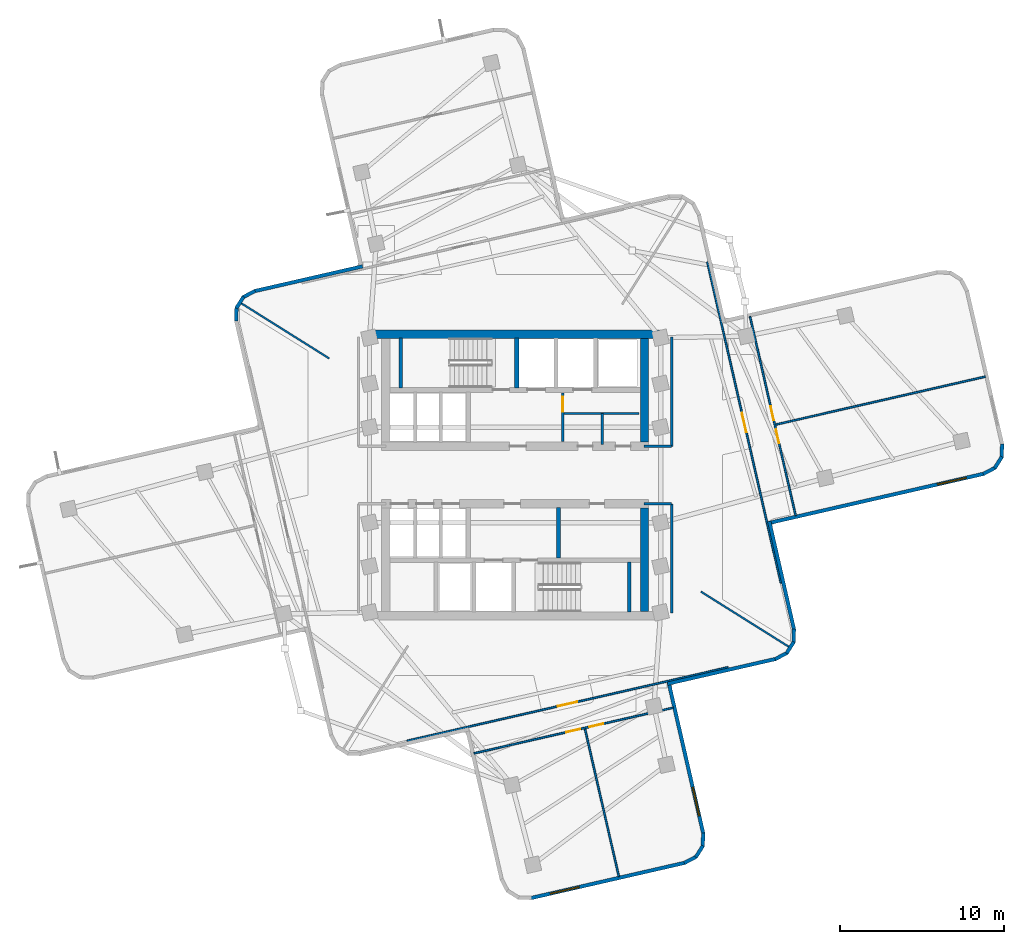
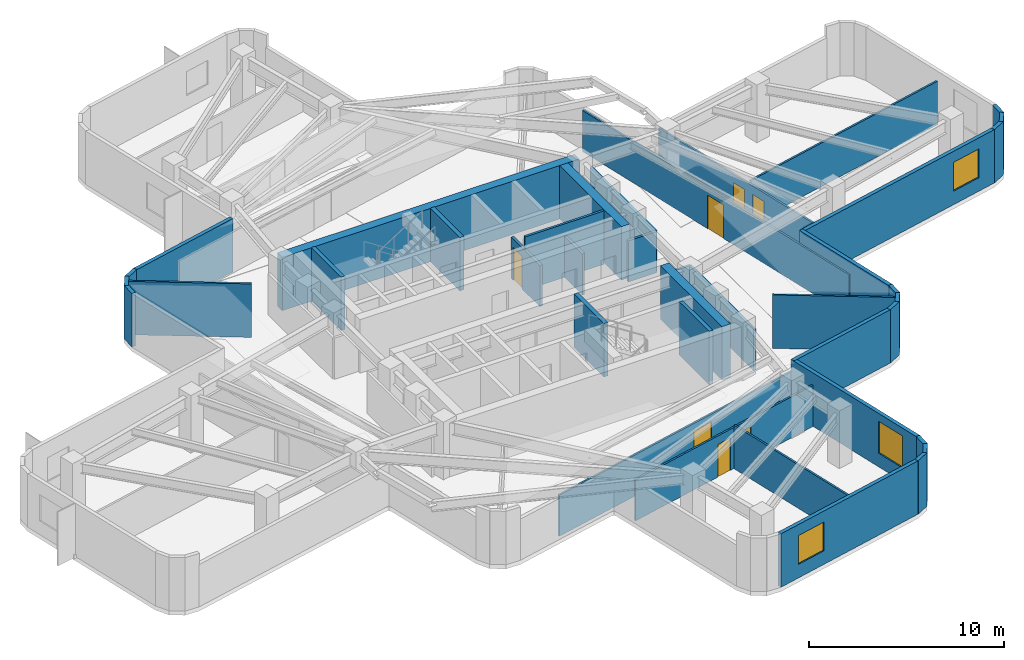
# One storey, part 4 of 8: 40 walls, 7 doors, 3 windows, 10 openings.
"""IFC4 building model written with IfcOpenShell, lengths in metres."""

from ifc_helpers import new_model, si_unit, direction, frame, frame_2d, origin, place, context, subcontext, project, spatial, rectangle, extrude, material, layer, layer_set, type_object, element, fill, save


model = new_model("IFC4")

# Units and contexts
model_context = context("Model", 3, precision=1e-05, world=origin(), true_north=direction((0.0, 1.0)))
body_context = subcontext(model_context, "Body", "Model", "MODEL_VIEW")
ifc_project = project(units=[si_unit("LENGTHUNIT", "METRE"), si_unit("AREAUNIT", "SQUARE_METRE"), si_unit("VOLUMEUNIT", "CUBIC_METRE"), si_unit("PLANEANGLEUNIT", "RADIAN"), si_unit("MASSUNIT", "GRAM", prefix="KILO")], contexts=[model_context])

# Site, building, storey
site_placement = place(None, origin())
site = spatial("IfcSite", under=ifc_project, at=site_placement, CompositionType="ELEMENT")
building_placement = place(site_placement, origin())
building = spatial("IfcBuilding", under=site, at=building_placement, Name="Solmarez Civic Tower", CompositionType="ELEMENT")
storey_placement = place(building_placement, frame((0.0, 0.0, 123.47998046875)))
storey = spatial("IfcBuildingStorey", under=building, at=storey_placement, Name="L32", CompositionType="ELEMENT", Elevation=123.47998046875)

# Walls
ifc_material_1 = material(Name="Concrete C60/75", Category="concrete")
ifc_layer_1 = layer(ifc_material_1, 0.5)
ifc_layer_set_1 = layer_set([ifc_layer_1], Name="Concrete C60/75")
wall_type_1 = type_object("IfcWallType", Name="WALL-CORE-500", PredefinedType="SHEAR", material=ifc_layer_set_1)
wall_1_placement = place(storey_placement, frame((-8.780029296875, 8.56005859375, 0.0), z_axis=(0.0, 0.0, 1.0), x_axis=(1.0, 0.0, 0.0)))
element("IfcWall", 1, at=wall_1_placement, inside=storey, type_object=wall_type_1, Name="L32 Split-Core Structural Wall NCW-N-L32", PredefinedType="SHEAR", context=body_context, shape_type="SweptSolid", body=[
    extrude(rectangle(XDim=17.56005859375, YDim=0.5, at=frame_2d((8.780029296875, 0.0))), origin(), (0.0, 0.0, 1.0), 3.340087890625),
])
for number, where, z_axis, x_axis, name in (
    (2, (7.8701171875, 8.31005859375, 0.0), (0.0, 0.0, 1.0), (0.0, -1.0, 0.0), "L32 Split-Core Structural Wall NCW-E-L32"),
    (3, (7.8701171875, -2.0, 0.0), (0.0, 0.0, 1.0), (0.0, -1.0, 0.0), "L32 Split-Core Structural Wall SCW-E-L32"),
):
    element("IfcWall", number, at=place(storey_placement, frame(where, z_axis=z_axis, x_axis=x_axis)), inside=storey, type_object=wall_type_1, Name=name, PredefinedType="SHEAR", context=body_context, shape_type="SweptSolid", body=[
        extrude(rectangle(XDim=6.31005859375, YDim=0.5, at=frame_2d((3.155029296875, 0.0))), origin(), (0.0, 0.0, 1.0), 3.340087890625),
    ])
ifc_material_2 = material(Name="Precast concrete C40/50", Category="concrete")
ifc_layer_2 = layer(ifc_material_2, 0.219970703125)
ifc_layer_set_2 = layer_set([ifc_layer_2], Name="Precast concrete C40/50")
wall_type_2 = type_object("IfcWallType", Name="WALL-EXT-220", PredefinedType="SOLIDWALL", material=ifc_layer_set_2)
wall_2_placement = place(storey_placement, frame((-16.964111328125, 9.360107421875, 0.0), z_axis=(0.0, 0.0, 1.0), x_axis=(0.035983706773, 0.999352376715, 0.0)))
element("IfcWall", 4, at=wall_2_placement, inside=storey, type_object=wall_type_2, Name="L32 Exterior Precast Wall 14", PredefinedType="SOLIDWALL", context=body_context, shape_type="SweptSolid", body=[
    extrude(rectangle(XDim=0.83447265625, YDim=0.219970703125, at=frame_2d((0.417236328125, 0.0))), origin(), (0.0, 0.0, 1.0), 3.340087890625),
])
wall_3_placement = place(storey_placement, frame((-16.947998046875, 10.14794921875, 0.0), z_axis=(0.0, 0.0, 1.0), x_axis=(0.531096868492, 0.847311109497, 0.0)))
element("IfcWall", 5, at=wall_3_placement, inside=storey, type_object=wall_type_2, Name="L32 Exterior Precast Wall 15", PredefinedType="SOLIDWALL", context=body_context, shape_type="SweptSolid", body=[
    extrude(rectangle(XDim=0.819091796875, YDim=0.219970703125, at=frame_2d((0.40966796875, 0.0))), origin(), (0.0, 0.0, 1.0), 3.340087890625),
])
wall_4_placement = place(storey_placement, frame((-16.548095703125, 10.80908203125, 0.0), z_axis=(0.0, 0.0, 1.0), x_axis=(0.883460266876, 0.468506090516, 0.0)))
element("IfcWall", 6, at=wall_4_placement, inside=storey, type_object=wall_type_2, Name="L32 Exterior Precast Wall 16", PredefinedType="SOLIDWALL", context=body_context, shape_type="SweptSolid", body=[
    extrude(rectangle(XDim=0.834228515625, YDim=0.219970703125, at=frame_2d((0.4169921875, 0.0))), origin(), (0.0, 0.0, 1.0), 3.340087890625),
])
wall_5_placement = place(storey_placement, frame((-15.85693359375, 11.181884765625, 0.0), z_axis=(0.0, 0.0, 1.0), x_axis=(0.974754598481, 0.223278912438, 0.0)))
element("IfcWall", 7, at=wall_5_placement, inside=storey, type_object=wall_type_2, Name="L32 Exterior Precast Wall 17", PredefinedType="SOLIDWALL", context=body_context, shape_type="SweptSolid", body=[
    extrude(rectangle(XDim=6.758544921875, YDim=0.219970703125, at=frame_2d((3.37939453125, 0.0))), origin(), (0.0, 0.0, 1.0), 3.340087890625),
])
wall_6_placement = place(storey_placement, frame((29.6201171875, 1.89892578125, 0.0), z_axis=(0.0, 0.0, 1.0), x_axis=(-0.037195813461, -0.999307996296, 0.0)))
element("IfcWall", 8, at=wall_6_placement, inside=storey, type_object=wall_type_2, Name="L32 Exterior Precast Wall 43", PredefinedType="SOLIDWALL", context=body_context, shape_type="SweptSolid", body=[
    extrude(rectangle(XDim=0.83349609375, YDim=0.219970703125, at=frame_2d((0.416748046875, 0.0))), origin(), (0.0, 0.0, 1.0), 3.340087890625),
])
wall_7_placement = place(storey_placement, frame((29.60302734375, 1.112060546875, 0.0), z_axis=(0.0, 0.0, 1.0), x_axis=(-0.530240177466, -0.847847482865, 0.0)))
element("IfcWall", 9, at=wall_7_placement, inside=storey, type_object=wall_type_2, Name="L32 Exterior Precast Wall 44", PredefinedType="SOLIDWALL", context=body_context, shape_type="SweptSolid", body=[
    extrude(rectangle(XDim=0.818603515625, YDim=0.219970703125, at=frame_2d((0.4091796875, 0.0))), origin(), (0.0, 0.0, 1.0), 3.340087890625),
])
wall_8_placement = place(storey_placement, frame((29.2041015625, 0.450927734375, 0.0), z_axis=(0.0, 0.0, 1.0), x_axis=(-0.883716798585, -0.468022029287, 0.0)))
element("IfcWall", 10, at=wall_8_placement, inside=storey, type_object=wall_type_2, Name="L32 Exterior Precast Wall 45", PredefinedType="SOLIDWALL", context=body_context, shape_type="SweptSolid", body=[
    extrude(rectangle(XDim=0.835205078125, YDim=0.219970703125, at=frame_2d((0.41748046875, 0.0))), origin(), (0.0, 0.0, 1.0), 3.340087890625),
])

# Wall, opening, window
wall_9_placement = place(storey_placement, frame((28.511962890625, 0.077880859375, 0.0), z_axis=(0.0, 0.0, 1.0), x_axis=(-0.974753462872, -0.223283870038, 0.0)))
wall_9 = element("IfcWall", 11, at=wall_9_placement, inside=storey, type_object=wall_type_2, Name="L32 Exterior Precast Wall 46", PredefinedType="SOLIDWALL", context=body_context, shape_type="SweptSolid", body=[
    extrude(rectangle(XDim=13.457763671875, YDim=0.219970703125, at=frame_2d((6.72900390625, 0.0))), origin(), (0.0, 0.0, 1.0), 3.340087890625),
])
opening_1_placement = place(wall_9_placement, frame((1.10009765625, 0.0, 0.85009765625)))
opening_1 = element("IfcOpeningElement", 12, at=opening_1_placement, cuts=wall_9, Name="Opening W-08", PredefinedType="OPENING", context=body_context, shape_type="SweptSolid", body=[
    extrude(rectangle(XDim=1.800048828125, YDim=1.800048828125, at=frame_2d((0.89990234375, 0.89990234375))), frame((0.0, 0.119873046875, 0.0), z_axis=(0.0, -1.0, 0.0), x_axis=(1.0, 0.0, 0.0)), (0.0, 0.0, 1.0), 0.239990234375),
])
ifc_material_3 = material(Name="Solar Control Bronze-Tinted Insulating Glass", Category="glass")
window_type_1 = type_object("IfcWindowType", Name="WIN-1800X1800", PartitioningType="SINGLE_PANEL", PredefinedType="WINDOW", material=ifc_material_3)
window_1_placement = place(opening_1_placement, origin())
window_1 = element("IfcWindow", 13, at=window_1_placement, inside=storey, type_object=window_type_1, Name="L32 Exterior Facade Window 46", OverallHeight=1.800048828125, OverallWidth=1.800048828125, PartitioningType="SINGLE_PANEL", PredefinedType="WINDOW", context=body_context, shape_type="SweptSolid", body=[
    extrude(rectangle(XDim=1.800048828125, YDim=1.800048828125, at=frame_2d((0.89990234375, 0.89990234375))), frame((0.0, 0.030029296875, 0.0), z_axis=(0.0, -1.0, 0.0), x_axis=(1.0, 0.0, 0.0)), (0.0, 0.0, 1.0), 0.06005859375),
])
fill(opening_1, window_1)

# Walls
wall_10_placement = place(storey_placement, frame((15.4599609375, -2.821044921875, 0.0), z_axis=(0.0, 0.0, 1.0), x_axis=(0.223278912438, -0.974754598481, 0.0)))
element("IfcWall", 14, at=wall_10_placement, inside=storey, type_object=wall_type_2, Name="L32 Exterior Precast Wall 49", PredefinedType="SOLIDWALL", context=body_context, shape_type="SweptSolid", body=[
    extrude(rectangle(XDim=6.758544921875, YDim=0.219970703125, at=frame_2d((3.37939453125, 0.0))), origin(), (0.0, 0.0, 1.0), 3.340087890625),
])
wall_11_placement = place(storey_placement, frame((16.964111328125, -9.360107421875, 0.0), z_axis=(0.0, 0.0, 1.0), x_axis=(-0.035983706773, -0.999352376715, 0.0)))
element("IfcWall", 15, at=wall_11_placement, inside=storey, type_object=wall_type_2, Name="L32 Exterior Precast Wall 50", PredefinedType="SOLIDWALL", context=body_context, shape_type="SweptSolid", body=[
    extrude(rectangle(XDim=0.83447265625, YDim=0.219970703125, at=frame_2d((0.417236328125, 0.0))), origin(), (0.0, 0.0, 1.0), 3.340087890625),
])
wall_12_placement = place(storey_placement, frame((16.947998046875, -10.14794921875, 0.0), z_axis=(0.0, 0.0, 1.0), x_axis=(-0.531096868492, -0.847311109497, 0.0)))
element("IfcWall", 16, at=wall_12_placement, inside=storey, type_object=wall_type_2, Name="L32 Exterior Precast Wall 51", PredefinedType="SOLIDWALL", context=body_context, shape_type="SweptSolid", body=[
    extrude(rectangle(XDim=0.819091796875, YDim=0.219970703125, at=frame_2d((0.40966796875, 0.0))), origin(), (0.0, 0.0, 1.0), 3.340087890625),
])
wall_13_placement = place(storey_placement, frame((16.548095703125, -10.80908203125, 0.0), z_axis=(0.0, 0.0, 1.0), x_axis=(-0.883460266876, -0.468506090516, 0.0)))
element("IfcWall", 17, at=wall_13_placement, inside=storey, type_object=wall_type_2, Name="L32 Exterior Precast Wall 52", PredefinedType="SOLIDWALL", context=body_context, shape_type="SweptSolid", body=[
    extrude(rectangle(XDim=0.834228515625, YDim=0.219970703125, at=frame_2d((0.4169921875, 0.0))), origin(), (0.0, 0.0, 1.0), 3.340087890625),
])
wall_14_placement = place(storey_placement, frame((15.85693359375, -11.181884765625, 0.0), z_axis=(0.0, 0.0, 1.0), x_axis=(-0.974754598481, -0.223278912438, 0.0)))
element("IfcWall", 18, at=wall_14_placement, inside=storey, type_object=wall_type_2, Name="L32 Exterior Precast Wall 53", PredefinedType="SOLIDWALL", context=body_context, shape_type="SweptSolid", body=[
    extrude(rectangle(XDim=6.758544921875, YDim=0.219970703125, at=frame_2d((3.37939453125, 0.0))), origin(), (0.0, 0.0, 1.0), 3.340087890625),
])

# Wall, opening, window
wall_15_placement = place(storey_placement, frame((9.3349609375, -12.5849609375, 0.0), z_axis=(0.0, 0.0, 1.0), x_axis=(0.223290835532, -0.974751867281, 0.0)))
wall_15 = element("IfcWall", 19, at=wall_15_placement, inside=storey, type_object=wall_type_2, Name="L32 Exterior Precast Wall 56", PredefinedType="SOLIDWALL", context=body_context, shape_type="SweptSolid", body=[
    extrude(rectangle(XDim=9.458740234375, YDim=0.219970703125, at=frame_2d((4.7294921875, 0.0))), origin(), (0.0, 0.0, 1.0), 3.340087890625),
])
opening_2_placement = place(wall_15_placement, frame((6.55908203125, 0.0, 0.85009765625)))
opening_2 = element("IfcOpeningElement", 20, at=opening_2_placement, cuts=wall_15, Name="Opening W-04", PredefinedType="OPENING", context=body_context, shape_type="SweptSolid", body=[
    extrude(rectangle(XDim=1.800048828125, YDim=2.0, at=frame_2d((0.89990234375, 1.0))), frame((0.0, 0.119873046875, 0.0), z_axis=(0.0, -1.0, 0.0), x_axis=(1.0, 0.0, 0.0)), (0.0, 0.0, 1.0), 0.239990234375),
])
window_type_2 = type_object("IfcWindowType", Name="WIN-1800X2000", PartitioningType="SINGLE_PANEL", PredefinedType="WINDOW", material=ifc_material_3)
window_2_placement = place(opening_2_placement, origin())
window_2 = element("IfcWindow", 21, at=window_2_placement, inside=storey, type_object=window_type_2, Name="L32 Exterior Facade Window 56", OverallHeight=2.0, OverallWidth=1.800048828125, PartitioningType="SINGLE_PANEL", PredefinedType="WINDOW", context=body_context, shape_type="SweptSolid", body=[
    extrude(rectangle(XDim=1.800048828125, YDim=2.0, at=frame_2d((0.89990234375, 1.0))), frame((0.0, 0.030029296875, 0.0), z_axis=(0.0, -1.0, 0.0), x_axis=(1.0, 0.0, 0.0)), (0.0, 0.0, 1.0), 0.06005859375),
])
fill(opening_2, window_2)

# Walls
wall_16_placement = place(storey_placement, frame((11.44189453125, -21.756103515625, 0.0), z_axis=(0.0, 0.0, 1.0), x_axis=(-0.035691530512, -0.999362854348, 0.0)))
element("IfcWall", 22, at=wall_16_placement, inside=storey, type_object=wall_type_2, Name="L32 Exterior Precast Wall 57", PredefinedType="SOLIDWALL", context=body_context, shape_type="SweptSolid", body=[
    extrude(rectangle(XDim=0.83447265625, YDim=0.219970703125, at=frame_2d((0.417236328125, 0.0))), origin(), (0.0, 0.0, 1.0), 3.340087890625),
])
wall_17_placement = place(storey_placement, frame((11.426025390625, -22.5439453125, 0.0), z_axis=(0.0, 0.0, 1.0), x_axis=(-0.53163377074, -0.846974340702, 0.0)))
element("IfcWall", 23, at=wall_17_placement, inside=storey, type_object=wall_type_2, Name="L32 Exterior Precast Wall 58", PredefinedType="SOLIDWALL", context=body_context, shape_type="SweptSolid", body=[
    extrude(rectangle(XDim=0.818359375, YDim=0.219970703125, at=frame_2d((0.4091796875, 0.0))), origin(), (0.0, 0.0, 1.0), 3.340087890625),
])
wall_18_placement = place(storey_placement, frame((11.02587890625, -23.2041015625, 0.0), z_axis=(0.0, 0.0, 1.0), x_axis=(-0.883396009524, -0.468627240307, 0.0)))
element("IfcWall", 24, at=wall_18_placement, inside=storey, type_object=wall_type_2, Name="L32 Exterior Precast Wall 59", PredefinedType="SOLIDWALL", context=body_context, shape_type="SweptSolid", body=[
    extrude(rectangle(XDim=0.833984375, YDim=0.219970703125, at=frame_2d((0.4169921875, 0.0))), origin(), (0.0, 0.0, 1.0), 3.340087890625),
])

# Wall, opening, window
wall_19_placement = place(storey_placement, frame((10.3349609375, -23.576904296875, 0.0), z_axis=(0.0, 0.0, 1.0), x_axis=(-0.974730937235, -0.223382183705, 0.0)))
wall_19 = element("IfcWall", 25, at=wall_19_placement, inside=storey, type_object=wall_type_2, Name="L32 Exterior Precast Wall 60", PredefinedType="SOLIDWALL", context=body_context, shape_type="SweptSolid", body=[
    extrude(rectangle(XDim=9.62109375, YDim=0.219970703125, at=frame_2d((4.810546875, 0.0))), origin(), (0.0, 0.0, 1.0), 3.340087890625),
])
opening_3_placement = place(wall_19_placement, frame((6.60400390625, 0.0, 0.85009765625)))
opening_3 = element("IfcOpeningElement", 26, at=opening_3_placement, cuts=wall_19, Name="Opening W-08", PredefinedType="OPENING", context=body_context, shape_type="SweptSolid", body=[
    extrude(rectangle(XDim=1.800048828125, YDim=1.800048828125, at=frame_2d((0.89990234375, 0.89990234375))), frame((0.0, 0.119873046875, 0.0), z_axis=(0.0, -1.0, 0.0), x_axis=(1.0, 0.0, 0.0)), (0.0, 0.0, 1.0), 0.239990234375),
])
window_3_placement = place(opening_3_placement, origin())
window_3 = element("IfcWindow", 27, at=window_3_placement, inside=storey, type_object=window_type_1, Name="L32 Exterior Facade Window 60", OverallHeight=1.800048828125, OverallWidth=1.800048828125, PartitioningType="SINGLE_PANEL", PredefinedType="WINDOW", context=body_context, shape_type="SweptSolid", body=[
    extrude(rectangle(XDim=1.800048828125, YDim=1.800048828125, at=frame_2d((0.89990234375, 0.89990234375))), frame((0.0, 0.030029296875, 0.0), z_axis=(0.0, -1.0, 0.0), x_axis=(1.0, 0.0, 0.0)), (0.0, 0.0, 1.0), 0.06005859375),
])
fill(opening_3, window_3)

# Walls
ifc_material_4 = material(Name="Gypsum Board Acoustic Steel-Stud Partition", Category="steel")
ifc_layer_3 = layer(ifc_material_4, 0.14990234375)
ifc_layer_set_3 = layer_set([ifc_layer_3], Name="Gypsum Board Acoustic Steel-Stud Partition")
wall_type_3 = type_object("IfcWallType", Name="WALL-INT-FIRE-150", PredefinedType="PARTITIONING", material=ifc_layer_set_3)
wall_20_placement = place(storey_placement, frame((9.52001953125, 1.75, 0.0), z_axis=(0.0, 0.0, 1.0), x_axis=(0.0, 1.0, 0.0)))
element("IfcWall", 28, at=wall_20_placement, inside=storey, type_object=wall_type_3, Name="L32 Interior Partition CHW-L32-EN1", PredefinedType="PARTITIONING", context=body_context, shape_type="SweptSolid", body=[
    extrude(rectangle(XDim=6.6298828125, YDim=0.14990234375, at=frame_2d((3.31494140625, 0.0))), origin(), (0.0, 0.0, 1.0), 2.570068359375),
])
wall_21_placement = place(storey_placement, frame((7.85009765625, 1.75, 0.0), z_axis=(0.0, 0.0, 1.0), x_axis=(1.0, 0.0, 0.0)))
element("IfcWall", 29, at=wall_21_placement, inside=storey, type_object=wall_type_3, Name="L32 Interior Partition CHW-L32-EN3", PredefinedType="PARTITIONING", context=body_context, shape_type="SweptSolid", body=[
    extrude(rectangle(XDim=1.669921875, YDim=0.14990234375, at=frame_2d((0.8349609375, 0.0))), origin(), (0.0, 0.0, 1.0), 2.570068359375),
])
wall_22_placement = place(storey_placement, frame((9.52001953125, -8.3798828125, 0.0), z_axis=(0.0, 0.0, 1.0), x_axis=(0.0, 1.0, 0.0)))
element("IfcWall", 30, at=wall_22_placement, inside=storey, type_object=wall_type_3, Name="L32 Interior Partition CHW-L32-ES1", PredefinedType="PARTITIONING", context=body_context, shape_type="SweptSolid", body=[
    extrude(rectangle(XDim=6.6298828125, YDim=0.14990234375, at=frame_2d((3.31494140625, 0.0))), origin(), (0.0, 0.0, 1.0), 2.570068359375),
])
wall_23_placement = place(storey_placement, frame((7.85009765625, -1.75, 0.0), z_axis=(0.0, 0.0, 1.0), x_axis=(1.0, 0.0, 0.0)))
element("IfcWall", 31, at=wall_23_placement, inside=storey, type_object=wall_type_3, Name="L32 Interior Partition CHW-L32-ES3", PredefinedType="PARTITIONING", context=body_context, shape_type="SweptSolid", body=[
    extrude(rectangle(XDim=1.669921875, YDim=0.14990234375, at=frame_2d((0.8349609375, 0.0))), origin(), (0.0, 0.0, 1.0), 2.570068359375),
])
ifc_layer_4 = layer(ifc_material_4, 0.110107421875)
ifc_layer_set_4 = layer_set([ifc_layer_4], Name="Gypsum Board Acoustic Steel-Stud Partition")
wall_type_4 = type_object("IfcWallType", Name="WALL-INT-PART-110", PredefinedType="PARTITIONING", material=ifc_layer_set_4)
for number, where, z_axis, x_axis, name in (
    (32, (-11.300048828125, 7.089111328125, 0.0), (0.0, 0.0, 1.0), (-0.847172398776, 0.531318103167, 0.0), "L32 Interior Partition PT-L32-QDIV-2"),
    (33, (11.300048828125, -7.089111328125, 0.0), (0.0, 0.0, 1.0), (0.847172398776, -0.531318103167, 0.0), "L32 Interior Partition PT-L32-QDIV-4"),
):
    element("IfcWall", number, at=place(storey_placement, frame(where, z_axis=z_axis, x_axis=x_axis)), inside=storey, type_object=wall_type_4, Name=name, PredefinedType="PARTITIONING", context=body_context, shape_type="SweptSolid", body=[
        extrude(rectangle(XDim=6.335205078125, YDim=0.110107421875, at=frame_2d((3.16748046875, 0.0))), origin(), (0.0, 0.0, 1.0), 3.340087890625),
    ])

# Wall, opening, door
wall_24_placement = place(storey_placement, frame((11.69189453125, 12.95703125, 0.0), z_axis=(0.0, 0.0, 1.0), x_axis=(0.223262093598, -0.97475845088, 0.0)))
wall_24 = element("IfcWall", 34, at=wall_24_placement, inside=storey, type_object=wall_type_4, Name="L32 Interior Partition PT-L32-E-ENT", PredefinedType="PARTITIONING", context=body_context, shape_type="SweptSolid", body=[
    extrude(rectangle(XDim=20.039794921875, YDim=0.110107421875, at=frame_2d((10.02001953125, 0.0))), origin(), (0.0, 0.0, 1.0), 2.570068359375),
])
opening_4_placement = place(wall_24_placement, frame((9.419921875, 0.0, 0.0)))
opening_4 = element("IfcOpeningElement", 35, at=opening_4_placement, cuts=wall_24, Name="Opening D-11", PredefinedType="OPENING", context=body_context, shape_type="SweptSolid", body=[
    extrude(rectangle(XDim=1.199951171875, YDim=2.10009765625, at=frame_2d((0.60009765625, 1.050048828125))), frame((0.0, 0.06494140625, 0.0), z_axis=(0.0, -1.0, 0.0), x_axis=(1.0, 0.0, 0.0)), (0.0, 0.0, 1.0), 0.130126953125),
])
ifc_material_5 = material(Name="Glazed-Vision Acoustic Chamber Door", Category="wood")
door_type_1 = type_object("IfcDoorType", Name="DOOR-INT-1200", OperationType="NOTDEFINED", PredefinedType="DOOR", material=ifc_material_5)
door_1_placement = place(opening_4_placement, origin())
door_1 = element("IfcDoor", 36, at=door_1_placement, inside=storey, type_object=door_type_1, Name="L32 Maritime Registry Municipal Co-Working Office First East Door", OperationType="SINGLE_SWING_LEFT", OverallHeight=2.10009765625, OverallWidth=1.199951171875, PredefinedType="DOOR", context=body_context, shape_type="SweptSolid", body=[
    extrude(rectangle(XDim=1.199951171875, YDim=2.10009765625, at=frame_2d((0.60009765625, 1.050048828125))), frame((0.0, 0.02490234375, 0.0), z_axis=(0.0, -1.0, 0.0), x_axis=(1.0, 0.0, 0.0)), (0.0, 0.0, 1.0), 0.050048828125),
])
fill(opening_4, door_1)

# Wall
wall_25_placement = place(storey_placement, frame((15.85498046875, 3.06689453125, 0.0), z_axis=(0.0, 0.0, 1.0), x_axis=(0.974758398925, 0.223262320434, 0.0)))
element("IfcWall", 37, at=wall_25_placement, inside=storey, type_object=wall_type_4, Name="L32 Interior Partition PT-L32-E-TSP", PredefinedType="PARTITIONING", context=body_context, shape_type="SweptSolid", body=[
    extrude(rectangle(XDim=13.0751953125, YDim=0.110107421875, at=frame_2d((6.53759765625, 0.0))), origin(), (0.0, 0.0, 1.0), 2.719970703125),
])

# Wall, openings, doors
wall_26_placement = place(storey_placement, frame((17.06201171875, -2.468017578125, 0.0), z_axis=(0.0, 0.0, 1.0), x_axis=(-0.223341555051, 0.974740247341, 0.0)))
wall_26 = element("IfcWall", 38, at=wall_26_placement, inside=storey, type_object=wall_type_4, Name="L32 Interior Partition PT-L32-E-SCUT", PredefinedType="PARTITIONING", context=body_context, shape_type="SweptSolid", body=[
    extrude(rectangle(XDim=12.429931640625, YDim=0.110107421875, at=frame_2d((6.21484375, 0.0))), origin(), (0.0, 0.0, 1.0), 2.570068359375),
])
opening_5_placement = place(wall_26_placement, frame((4.514892578125, 0.0, 0.0)))
opening_5 = element("IfcOpeningElement", 39, at=opening_5_placement, cuts=wall_26, Name="Opening D-14", PredefinedType="OPENING", context=body_context, shape_type="SweptSolid", body=[
    extrude(rectangle(XDim=0.860107421875, YDim=2.0400390625, at=frame_2d((0.43017578125, 1.02001953125))), frame((0.0, 0.06494140625, 0.0), z_axis=(0.0, -1.0, 0.0), x_axis=(1.0, 0.0, 0.0)), (0.0, 0.0, 1.0), 0.130126953125),
])
opening_6_placement = place(wall_26_placement, frame((5.955078125, 0.0, 0.0)))
opening_6 = element("IfcOpeningElement", 40, at=opening_6_placement, cuts=wall_26, Name="Opening D-14", PredefinedType="OPENING", context=body_context, shape_type="SweptSolid", body=[
    extrude(rectangle(XDim=0.860107421875, YDim=2.0400390625, at=frame_2d((0.43017578125, 1.02001953125))), frame((0.0, 0.06494140625, 0.0), z_axis=(0.0, -1.0, 0.0), x_axis=(1.0, 0.0, 0.0)), (0.0, 0.0, 1.0), 0.130126953125),
])
ifc_material_6 = material(Name="Timber Storage and Pantry Door", Category="wood")
door_type_2 = type_object("IfcDoorType", Name="DOOR-INT-850", OperationType="NOTDEFINED", PredefinedType="DOOR", material=ifc_material_6)
door_2_placement = place(opening_5_placement, origin())
door_2 = element("IfcDoor", 41, at=door_2_placement, inside=storey, type_object=door_type_2, Name="L32 Public Law Reading Room Third East Door", OperationType="SINGLE_SWING_RIGHT", OverallHeight=2.0400390625, OverallWidth=0.860107421875, PredefinedType="DOOR", context=body_context, shape_type="SweptSolid", body=[
    extrude(rectangle(XDim=0.860107421875, YDim=2.0400390625, at=frame_2d((0.43017578125, 1.02001953125))), frame((0.0, 0.02490234375, 0.0), z_axis=(0.0, -1.0, 0.0), x_axis=(1.0, 0.0, 0.0)), (0.0, 0.0, 1.0), 0.050048828125),
])
fill(opening_5, door_2)
door_3_placement = place(opening_6_placement, origin())
door_3 = element("IfcDoor", 42, at=door_3_placement, inside=storey, type_object=door_type_2, Name="L32 Civic Seminar Classroom Second East Door", OperationType="SINGLE_SWING_LEFT", OverallHeight=2.0400390625, OverallWidth=0.860107421875, PredefinedType="DOOR", context=body_context, shape_type="SweptSolid", body=[
    extrude(rectangle(XDim=0.860107421875, YDim=2.0400390625, at=frame_2d((0.43017578125, 1.02001953125))), frame((0.0, 0.02490234375, 0.0), z_axis=(0.0, -1.0, 0.0), x_axis=(1.0, 0.0, 0.0)), (0.0, 0.0, 1.0), 0.050048828125),
])
fill(opening_6, door_3)

# Wall, opening, door
wall_27_placement = place(storey_placement, frame((12.95703125, -11.69189453125, 0.0), z_axis=(0.0, 0.0, 1.0), x_axis=(-0.97475845088, -0.223262093598, 0.0)))
wall_27 = element("IfcWall", 43, at=wall_27_placement, inside=storey, type_object=wall_type_4, Name="L32 Interior Partition PT-L32-S-ENT", PredefinedType="PARTITIONING", context=body_context, shape_type="SweptSolid", body=[
    extrude(rectangle(XDim=20.039794921875, YDim=0.110107421875, at=frame_2d((10.02001953125, 0.0))), origin(), (0.0, 0.0, 1.0), 2.570068359375),
])
opening_7_placement = place(wall_27_placement, frame((9.419921875, 0.0, 0.0)))
opening_7 = element("IfcOpeningElement", 44, at=opening_7_placement, cuts=wall_27, Name="Opening D-11", PredefinedType="OPENING", context=body_context, shape_type="SweptSolid", body=[
    extrude(rectangle(XDim=1.199951171875, YDim=2.10009765625, at=frame_2d((0.60009765625, 1.050048828125))), frame((0.0, 0.06494140625, 0.0), z_axis=(0.0, -1.0, 0.0), x_axis=(1.0, 0.0, 0.0)), (0.0, 0.0, 1.0), 0.130126953125),
])
door_4_placement = place(opening_7_placement, origin())
door_4 = element("IfcDoor", 45, at=door_4_placement, inside=storey, type_object=door_type_1, Name="L32 Security Control Room First South Door", OperationType="SINGLE_SWING_LEFT", OverallHeight=2.10009765625, OverallWidth=1.199951171875, PredefinedType="DOOR", context=body_context, shape_type="SweptSolid", body=[
    extrude(rectangle(XDim=1.199951171875, YDim=2.10009765625, at=frame_2d((0.60009765625, 1.050048828125))), frame((0.0, 0.02490234375, 0.0), z_axis=(0.0, -1.0, 0.0), x_axis=(1.0, 0.0, 0.0)), (0.0, 0.0, 1.0), 0.050048828125),
])
fill(opening_7, door_4)

# Wall
wall_28_placement = place(storey_placement, frame((4.25390625, -15.43994140625, 0.0), z_axis=(0.0, 0.0, 1.0), x_axis=(0.223344166789, -0.974739648912, 0.0)))
element("IfcWall", 46, at=wall_28_placement, inside=storey, type_object=wall_type_4, Name="L32 Interior Partition PT-L32-S-TM3", PredefinedType="PARTITIONING", context=body_context, shape_type="SweptSolid", body=[
    extrude(rectangle(XDim=9.21484375, YDim=0.110107421875, at=frame_2d((4.607421875, 0.0))), origin(), (0.0, 0.0, 1.0), 2.719970703125),
])

# Wall, openings, doors
wall_29_placement = place(storey_placement, frame((-2.4990234375, -16.926025390625, 0.0), z_axis=(0.0, 0.0, 1.0), x_axis=(0.974740247341, 0.223341555051, 0.0)))
wall_29 = element("IfcWall", 47, at=wall_29_placement, inside=storey, type_object=wall_type_4, Name="L32 Interior Partition PT-L32-S-SCUT", PredefinedType="PARTITIONING", context=body_context, shape_type="SweptSolid", body=[
    extrude(rectangle(XDim=12.429931640625, YDim=0.110107421875, at=frame_2d((6.21484375, 0.0))), origin(), (0.0, 0.0, 1.0), 2.570068359375),
])
opening_8_placement = place(wall_29_placement, frame((5.764892578125, 0.0, 0.0)))
opening_8 = element("IfcOpeningElement", 48, at=opening_8_placement, cuts=wall_29, Name="Opening D-14", PredefinedType="OPENING", context=body_context, shape_type="SweptSolid", body=[
    extrude(rectangle(XDim=0.860107421875, YDim=2.0400390625, at=frame_2d((0.43017578125, 1.02001953125))), frame((0.0, 0.06494140625, 0.0), z_axis=(0.0, -1.0, 0.0), x_axis=(1.0, 0.0, 0.0)), (0.0, 0.0, 1.0), 0.130126953125),
])
opening_9_placement = place(wall_29_placement, frame((7.205078125, 0.0, 0.0)))
opening_9 = element("IfcOpeningElement", 49, at=opening_9_placement, cuts=wall_29, Name="Opening D-14", PredefinedType="OPENING", context=body_context, shape_type="SweptSolid", body=[
    extrude(rectangle(XDim=0.860107421875, YDim=2.0400390625, at=frame_2d((0.43017578125, 1.02001953125))), frame((0.0, 0.06494140625, 0.0), z_axis=(0.0, -1.0, 0.0), x_axis=(1.0, 0.0, 0.0)), (0.0, 0.0, 1.0), 0.130126953125),
])
door_5_placement = place(opening_8_placement, origin())
door_5 = element("IfcDoor", 50, at=door_5_placement, inside=storey, type_object=door_type_2, Name="L32 Public Law Reading Room Third South Door", OperationType="SINGLE_SWING_RIGHT", OverallHeight=2.0400390625, OverallWidth=0.860107421875, PredefinedType="DOOR", context=body_context, shape_type="SweptSolid", body=[
    extrude(rectangle(XDim=0.860107421875, YDim=2.0400390625, at=frame_2d((0.43017578125, 1.02001953125))), frame((0.0, 0.02490234375, 0.0), z_axis=(0.0, -1.0, 0.0), x_axis=(1.0, 0.0, 0.0)), (0.0, 0.0, 1.0), 0.050048828125),
])
fill(opening_8, door_5)
door_6_placement = place(opening_9_placement, origin())
door_6 = element("IfcDoor", 51, at=door_6_placement, inside=storey, type_object=door_type_2, Name="L32 Civic Seminar Classroom Second South Door", OperationType="SINGLE_SWING_LEFT", OverallHeight=2.0400390625, OverallWidth=0.860107421875, PredefinedType="DOOR", context=body_context, shape_type="SweptSolid", body=[
    extrude(rectangle(XDim=0.860107421875, YDim=2.0400390625, at=frame_2d((0.43017578125, 1.02001953125))), frame((0.0, 0.02490234375, 0.0), z_axis=(0.0, -1.0, 0.0), x_axis=(1.0, 0.0, 0.0)), (0.0, 0.0, 1.0), 0.050048828125),
])
fill(opening_9, door_6)

# Wall, opening, door
ifc_layer_5 = layer(ifc_material_4, 0.159912109375)
ifc_layer_set_5 = layer_set([ifc_layer_5], Name="Gypsum Board Acoustic Steel-Stud Partition")
wall_type_5 = type_object("IfcWallType", Name="WALL-INT-SHAFT-160", PredefinedType="PARTITIONING", material=ifc_layer_set_5)
wall_30_placement = place(storey_placement, frame((2.89990234375, 2.0400390625, 0.0), z_axis=(0.0, 0.0, 1.0), x_axis=(0.0, 1.0, 0.0)))
wall_30 = element("IfcWall", 52, at=wall_30_placement, inside=storey, type_object=wall_type_5, Name="L32 Interior Partition SHW-NL2-L32", PredefinedType="PARTITIONING", context=body_context, shape_type="SweptSolid", body=[
    extrude(rectangle(XDim=2.93994140625, YDim=0.159912109375, at=frame_2d((1.469970703125, 0.0))), origin(), (0.0, 0.0, 1.0), 2.570068359375),
])
opening_10_placement = place(wall_30_placement, frame((1.820068359375, 0.0, 0.0)))
opening_10 = element("IfcOpeningElement", 53, at=opening_10_placement, cuts=wall_30, Name="Opening D-09", PredefinedType="OPENING", context=body_context, shape_type="SweptSolid", body=[
    extrude(rectangle(XDim=0.89990234375, YDim=2.06005859375, at=frame_2d((0.449951171875, 1.030029296875))), frame((0.0, 0.08984375, 0.0), z_axis=(0.0, -1.0, 0.0), x_axis=(1.0, 0.0, 0.0)), (0.0, 0.0, 1.0), 0.179931640625),
])
ifc_material_7 = material(Name="Fire-Rated Service Core Door", Category="wood")
door_type_3 = type_object("IfcDoorType", Name="DOOR-FD60-900", OperationType="NOTDEFINED", PredefinedType="DOOR", material=ifc_material_7)
door_7_placement = place(opening_10_placement, origin())
door_7 = element("IfcDoor", 54, at=door_7_placement, inside=storey, type_object=door_type_3, Name="L32 Service Lift Lobby Door", OperationType="SINGLE_SWING_LEFT", OverallHeight=2.06005859375, OverallWidth=0.89990234375, PredefinedType="DOOR", context=body_context, shape_type="SweptSolid", body=[
    extrude(rectangle(XDim=0.89990234375, YDim=2.06005859375, at=frame_2d((0.449951171875, 1.030029296875))), frame((0.0, 0.02490234375, 0.0), z_axis=(0.0, -1.0, 0.0), x_axis=(1.0, 0.0, 0.0)), (0.0, 0.0, 1.0), 0.050048828125),
])
fill(opening_10, door_7)

# Walls
ifc_layer_6 = layer(ifc_material_4, 0.137939453125)
ifc_layer_set_6 = layer_set([ifc_layer_6], Name="Gypsum Board Acoustic Steel-Stud Partition")
wall_type_6 = type_object("IfcWallType", Name="WALL-INT-WET-140", PredefinedType="PARTITIONING", material=ifc_layer_set_6)
wall_31_placement = place(storey_placement, frame((2.89990234375, 3.739990234375, 0.0), z_axis=(0.0, 0.0, 1.0), x_axis=(1.0, 0.0, 0.0)))
element("IfcWall", 55, at=wall_31_placement, inside=storey, type_object=wall_type_6, Name="L32 Interior Partition SHW-SVH-L32", PredefinedType="PARTITIONING", context=body_context, shape_type="SweptSolid", body=[
    extrude(rectangle(XDim=4.650146484375, YDim=0.137939453125, at=frame_2d((2.3251953125, 0.0))), origin(), (0.0, 0.0, 1.0), 3.340087890625),
])
wall_32_placement = place(storey_placement, frame((5.300048828125, 1.85009765625, 0.0), z_axis=(0.0, 0.0, 1.0), x_axis=(0.0, 1.0, 0.0)))
element("IfcWall", 56, at=wall_32_placement, inside=storey, type_object=wall_type_6, Name="L32 Interior Partition PT-NCSV-L32", PredefinedType="PARTITIONING", context=body_context, shape_type="SweptSolid", body=[
    extrude(rectangle(XDim=1.889892578125, YDim=0.137939453125, at=frame_2d((0.94482421875, 0.0))), origin(), (0.0, 0.0, 1.0), 2.570068359375),
])
ifc_material_8 = material(Name="Concrete C50/60", Category="concrete")
ifc_layer_7 = layer(ifc_material_8, 0.300048828125)
ifc_layer_set_7 = layer_set([ifc_layer_7], Name="Concrete C50/60")
wall_type_7 = type_object("IfcWallType", Name="WALL-STR-300", PredefinedType="SOLIDWALL", material=ifc_layer_set_7)
for number, where, z_axis, x_axis, name in (
    (57, (-6.949951171875, 5.280029296875, 0.0), (0.0, 0.0, 1.0), (0.0, 1.0, 0.0), "L32 Split-Core Structural Wall SHW-NW-L32"),
    (58, (6.949951171875, -8.340087890625, 0.0), (0.0, 0.0, 1.0), (0.0, 1.0, 0.0), "L32 Split-Core Structural Wall SHW-SE-L32"),
):
    element("IfcWall", number, at=place(storey_placement, frame(where, z_axis=z_axis, x_axis=x_axis)), inside=storey, type_object=wall_type_7, Name=name, PredefinedType="SOLIDWALL", context=body_context, shape_type="SweptSolid", body=[
        extrude(rectangle(XDim=3.06005859375, YDim=0.219970703125, at=frame_2d((1.530029296875, 0.0))), origin(), (0.0, 0.0, 1.0), 3.340087890625),
    ])
wall_33_placement = place(storey_placement, frame((0.10009765625, 5.300048828125, 0.0), z_axis=(0.0, 0.0, 1.0), x_axis=(0.0, 1.0, 0.0)))
element("IfcWall", 59, at=wall_33_placement, inside=storey, type_object=wall_type_7, Name="L32 Split-Core Structural Wall SHW-N1-L32", PredefinedType="SOLIDWALL", context=body_context, shape_type="SweptSolid", body=[
    extrude(rectangle(XDim=3.0400390625, YDim=0.25, at=frame_2d((1.52001953125, 0.0))), origin(), (0.0, 0.0, 1.0), 3.340087890625),
])
wall_34_placement = place(storey_placement, frame((2.64990234375, -5.050048828125, 0.0), z_axis=(0.0, 0.0, 1.0), x_axis=(0.0, 1.0, 0.0)))
element("IfcWall", 60, at=wall_34_placement, inside=storey, type_object=wall_type_7, Name="L32 Split-Core Structural Wall SHW-SL2-L32", PredefinedType="SOLIDWALL", context=body_context, shape_type="SweptSolid", body=[
    extrude(rectangle(XDim=3.070068359375, YDim=0.25, at=frame_2d((1.53515625, 0.0))), origin(), (0.0, 0.0, 1.0), 3.340087890625),
])

save(model, "model.ifc")
